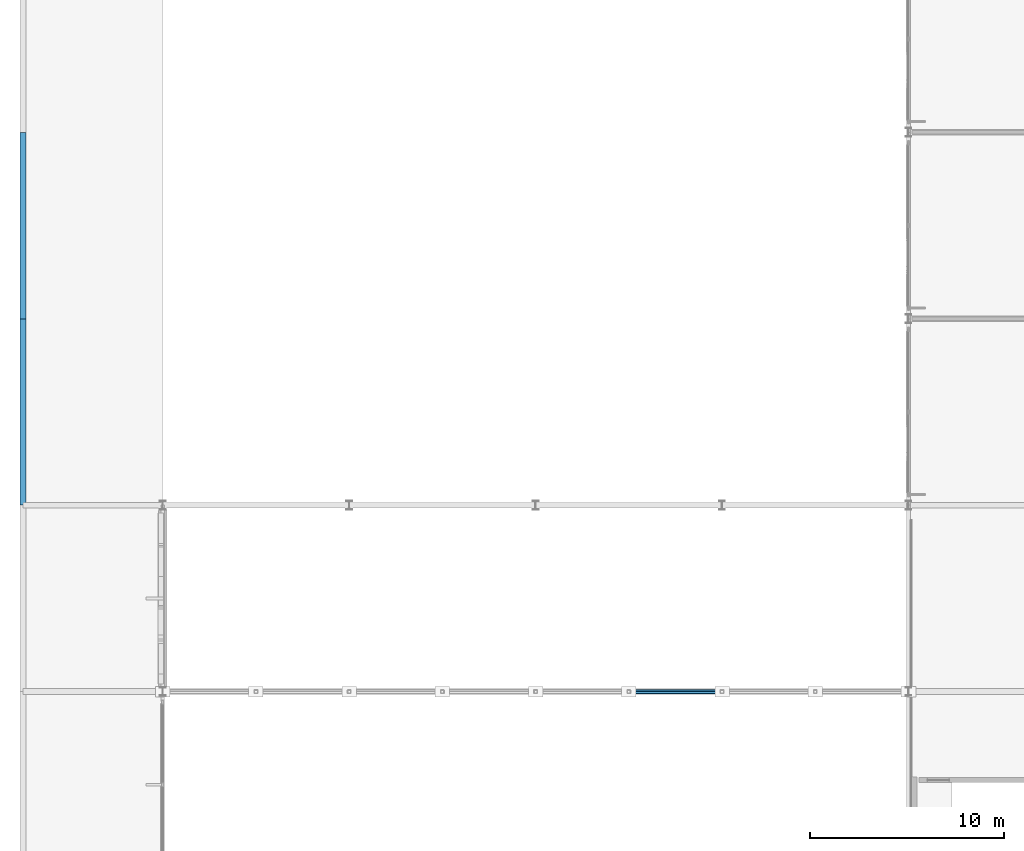
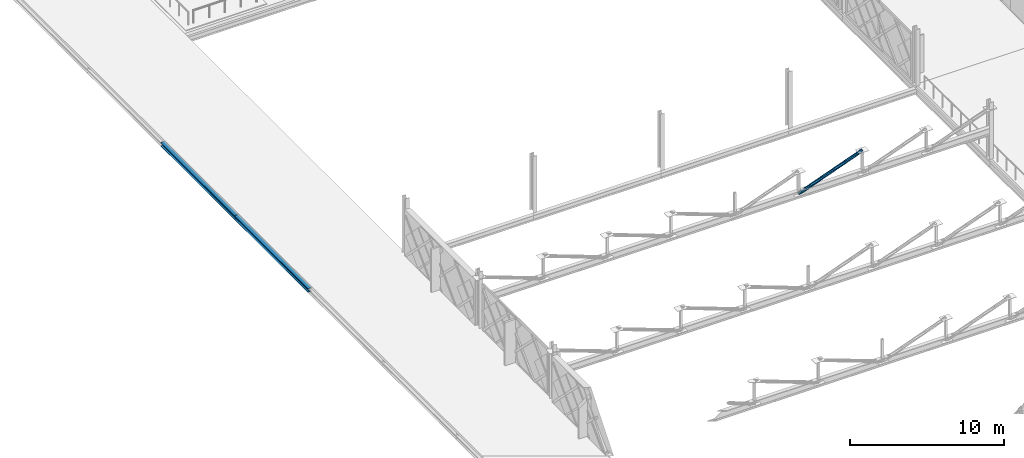
# One storey, part 35 of 101: 2 beams, 1 member.
"""IFC4 building model written with IfcOpenShell, lengths in metres."""

from ifc_helpers import new_model, si_unit, direction, frame, origin, origin_2d, place, context, subcontext, project, spatial, hollow_circle, i_section, extrude, material, material_profile, profile_set, type_object, element, save


model = new_model("IFC4")

# Units and contexts
model_context = context("Model", 3, precision=1e-05, world=origin(), true_north=direction((0.0, 1.0)))
body_context = subcontext(model_context, "Body", "Model", "MODEL_VIEW")
ifc_project = project(units=[si_unit("LENGTHUNIT", "METRE"), si_unit("AREAUNIT", "SQUARE_METRE"), si_unit("VOLUMEUNIT", "CUBIC_METRE"), si_unit("PLANEANGLEUNIT", "RADIAN"), si_unit("MASSUNIT", "GRAM", prefix="KILO")], contexts=[model_context])

# Site, building, storey
site_placement = place(None, origin())
site = spatial("IfcSite", under=ifc_project, at=site_placement, CompositionType="ELEMENT")
building_placement = place(site_placement, origin())
building = spatial("IfcBuilding", under=site, at=building_placement, Name="Zevrakil Square Congress Hotel", CompositionType="ELEMENT")
storey_placement = place(building_placement, frame((0.0, 0.0, 5.39990234375)))
storey = spatial("IfcBuildingStorey", under=building, at=storey_placement, Name="L02", CompositionType="ELEMENT", Elevation=5.39990234375)

# Member
ifc_material_1 = material(Name="Steel S355", Category="steel")
ifc_material_profile_1 = material_profile(ifc_material_1, hollow_circle(Radius=0.122314453125, WallThickness=0.012451171875, at=origin_2d()), Name="CHS 244.5x12.5")
ifc_profile_set_1 = profile_set([ifc_material_profile_1], Name="Steel S355")
member_type = type_object("IfcMemberType", Name="MEM-BRACE-CHS244", PredefinedType="BRACE", material=ifc_profile_set_1)
member_placement = place(storey_placement, frame((31.199951171875, 36.0, 2.150146484375), z_axis=(0.937932774607, 0.0, 0.346817113646), x_axis=(0.0, 1.0, 0.0)))
element("IfcMember", 1, at=member_placement, inside=storey, type_object=member_type, Name="Ballroom Pratt truss diagonal BTD-35", PredefinedType="BRACE", context=body_context, shape_type="SweptSolid", body=[
    extrude(hollow_circle(Radius=0.122314453125, WallThickness=0.012451171875, at=origin_2d()), origin(), (0.0, 0.0, 1.0), 5.11767578125),
])

# Beams
ifc_material_2 = material(Name="Steel S355", Category="steel")
ifc_material_profile_2 = material_profile(ifc_material_2, i_section(OverallWidth=0.300048828125, OverallDepth=0.300048828125, WebThickness=0.010986328125, FlangeThickness=0.01904296875, FilletRadius=0.027099609375, at=origin_2d()), Name="HEB 300")
ifc_profile_set_2 = profile_set([ifc_material_profile_2], Name="Steel S355")
beam_type = type_object("IfcBeamType", Name="SPD-RHS250", PredefinedType="SPANDREL", material=ifc_profile_set_2)
beam_1_placement = place(storey_placement, frame((0.0, 45.60009765625, -0.409912109375), z_axis=(0.0, 1.0, 0.0), x_axis=(-1.0, 0.0, 0.0)))
element("IfcBeam", 2, at=beam_1_placement, inside=storey, type_object=beam_type, Name="L02 primary girder BY-0823", PredefinedType="SPANDREL", context=body_context, shape_type="SweptSolid", body=[
    extrude(i_section(OverallWidth=0.300048828125, OverallDepth=0.300048828125, WebThickness=0.010986328125, FlangeThickness=0.01904296875, FilletRadius=0.027099609375, at=origin_2d()), origin(), (0.0, 0.0, 1.0), 9.599853515625),
])
beam_2_placement = place(storey_placement, frame((0.0, 55.199951171875, -0.409912109375), z_axis=(0.0, 1.0, 0.0), x_axis=(-1.0, 0.0, 0.0)))
element("IfcBeam", 3, at=beam_2_placement, inside=storey, type_object=beam_type, Name="L02 primary girder BY-0824", PredefinedType="SPANDREL", context=body_context, shape_type="SweptSolid", body=[
    extrude(i_section(OverallWidth=0.300048828125, OverallDepth=0.300048828125, WebThickness=0.010986328125, FlangeThickness=0.01904296875, FilletRadius=0.027099609375, at=origin_2d()), origin(), (0.0, 0.0, 1.0), 9.60009765625),
])

save(model, "model.ifc")
